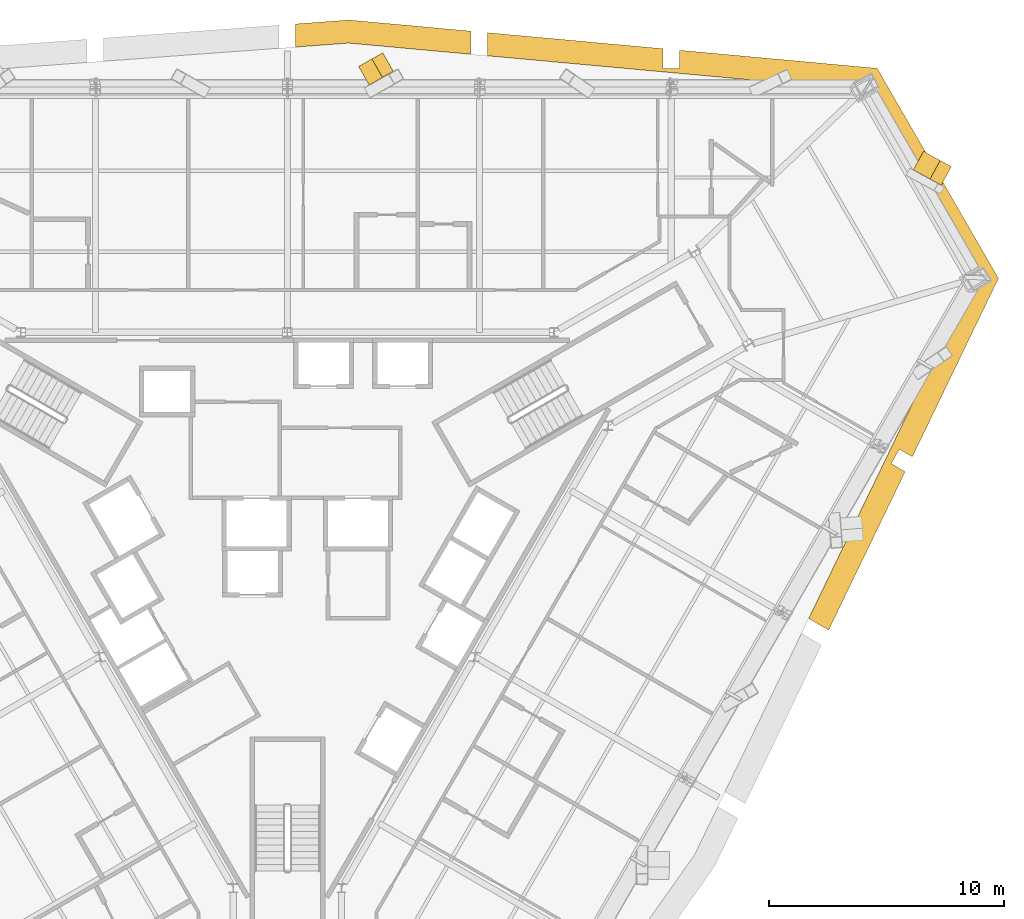
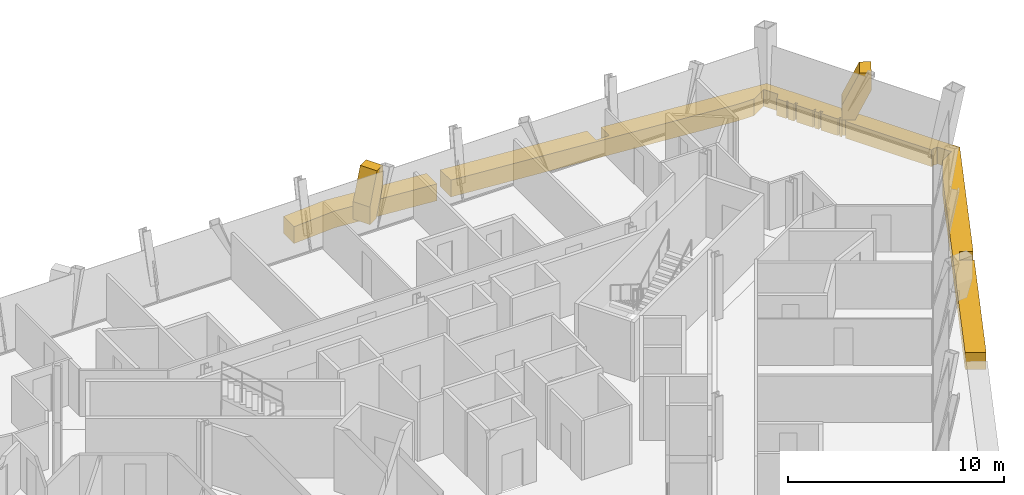
# One storey, part 14 of 14: 4 coverings.
"""IFC4 building model written with IfcOpenShell, lengths in metres."""

from ifc_helpers import new_model, si_unit, direction, frame, origin, place, context, subcontext, project, spatial, polyline, outline, extrude, material, layer, layer_set, type_object, element, save


model = new_model("IFC4")

# Units and contexts
model_context = context("Model", 3, precision=1e-05, world=origin(), true_north=direction((0.0, 1.0)))
body_context = subcontext(model_context, "Body", "Model", "MODEL_VIEW")
ifc_project = project(units=[si_unit("LENGTHUNIT", "METRE"), si_unit("AREAUNIT", "SQUARE_METRE"), si_unit("VOLUMEUNIT", "CUBIC_METRE"), si_unit("PLANEANGLEUNIT", "RADIAN"), si_unit("MASSUNIT", "GRAM", prefix="KILO")], contexts=[model_context])

# Site, building, storey
site_placement = place(None, origin())
site = spatial("IfcSite", under=ifc_project, at=site_placement, CompositionType="ELEMENT")
building_placement = place(site_placement, origin())
building = spatial("IfcBuilding", under=site, at=building_placement, Name="Verrane Prism Tower", CompositionType="ELEMENT")
storey_placement = place(building_placement, frame((0.0, 0.0, 128.800048828125)))
storey = spatial("IfcBuildingStorey", under=building, at=storey_placement, Name="L31", CompositionType="ELEMENT", Elevation=128.800048828125)

# Coverings
ifc_material_1 = material(Name="Warm limestone cladding", Category="masonry")
ifc_layer_1 = layer(ifc_material_1, 0.89990234375)
ifc_layer_set_1 = layer_set([ifc_layer_1], Name="Stone brace fin 900")
covering_type_1 = type_object("IfcCoveringType", Name="Stone brace fin 900", PredefinedType="CLADDING", material=ifc_layer_set_1)
covering_1_placement = place(storey_placement, frame((3.250732421875, 20.1025390625, 0.0), z_axis=(0.0, 0.0, 1.0), x_axis=(0.870034027112, 0.492991675049, 0.0)))
element("IfcCovering", 1, at=covering_1_placement, inside=storey, type_object=covering_type_1, Name="Stone brace fin N3 L31", PredefinedType="CLADDING", context=body_context, shape_type="SweptSolid", body=[
    extrude(outline(polyline([(1.178955078125, 2.64990234375), (0.650390625, 2.64990234375), (0.0, 0.990478515625), (0.0, 0.0), (0.578369140625, 0.0), (1.178955078125, 1.532470703125), (1.178955078125, 2.64990234375)])), frame((0.0, 0.449951171875, 0.0), z_axis=(0.0, -1.0, 0.0), x_axis=(1.0, 0.0, 0.0)), (0.0, 0.0, 1.0), 0.89990234375),
])
covering_2_placement = place(storey_placement, frame((26.8173828125, 16.49560546875, 0.0), z_axis=(0.0, 0.0, 1.0), x_axis=(0.877170467986, -0.4801791021, 0.0)))
element("IfcCovering", 2, at=covering_2_placement, inside=storey, type_object=covering_type_1, Name="Stone brace fin NE1 L31", PredefinedType="CLADDING", context=body_context, shape_type="SweptSolid", body=[
    extrude(outline(polyline([(1.352783203125, 2.64990234375), (0.810546875, 2.64990234375), (0.0, 0.8505859375), (0.0, 0.0), (0.60400390625, 0.0), (1.352783203125, 1.662353515625), (1.352783203125, 2.64990234375)])), frame((0.0, 0.449951171875, 0.0), z_axis=(0.0, -1.0, 0.0), x_axis=(1.0, 0.0, 0.0)), (0.0, 0.0, 1.0), 0.89990234375),
])
ifc_material_2 = material(Name="Warm limestone cladding", Category="masonry")
ifc_layer_2 = layer(ifc_material_2, 0.449951171875)
ifc_layer_set_2 = layer_set([ifc_layer_2], Name="Stone spandrel band 450")
covering_type_2 = type_object("IfcCoveringType", Name="Stone spandrel band 450", PredefinedType="CLADDING", material=ifc_layer_set_2)
covering_3_placement = place(storey_placement, frame((0.0, 0.0, -0.949951171875)))
element("IfcCovering", 3, at=covering_3_placement, inside=storey, type_object=covering_type_2, Name="Stone spandrel band L31 part 1", PredefinedType="CLADDING", context=body_context, shape_type="SweptSolid", body=[
    extrude(outline(polyline([(8.507080078125, 20.950439453125), (23.01416015625, 19.623291015625), (23.94091796875, 19.623291015625), (24.69580078125, 20.05908203125), (25.07568359375, 19.40087890625), (25.056884765625, 19.389892578125), (24.945556640625, 19.195556640625), (24.833251953125, 19.130615234375), (25.1064453125, 18.6572265625), (25.1259765625, 18.714111328125), (25.1923828125, 18.691162109375), (25.153076171875, 18.57666015625), (25.3046875, 18.313720703125), (25.447509765625, 18.396240234375), (25.51123046875, 18.2861328125), (25.368408203125, 18.20361328125), (25.819580078125, 17.422119140625), (25.96240234375, 17.50439453125), (26.00048828125, 17.43798828125), (25.85791015625, 17.355712890625), (25.968017578125, 17.165283203125), (26.110595703125, 17.24755859375), (26.174072265625, 17.137451171875), (26.031494140625, 17.05517578125), (26.482666015625, 16.273681640625), (26.625, 16.355712890625), (26.663330078125, 16.289306640625), (26.52099609375, 16.207275390625), (26.59228515625, 16.083984375), (26.66015625, 16.2080078125), (26.79638671875, 16.13330078125), (26.68310546875, 15.926513671875), (28.982666015625, 11.943603515625), (29.094482421875, 12.008056640625), (29.316650390625, 12.008056640625), (29.335693359375, 12.01904296875), (29.7158203125, 11.36083984375), (28.9697265625, 10.93017578125), (28.327392578125, 9.817626953125), (27.138671875, 7.35595703125), (27.140380859375, 7.353515625), (27.1357421875, 7.350341796875), (22.153564453125, -2.967041015625), (23.0029296875, -3.457275390625), (26.25439453125, 3.276123046875), (25.65869140625, 3.6201171875), (26.008544921875, 4.226318359375), (26.559814453125, 3.908203125), (30.220703125, 11.489013671875), (25.0654296875, 20.41796875), (16.66455078125, 21.186279296875), (16.66455078125, 20.409912109375), (15.964599609375, 20.409912109375), (15.964599609375, 21.25048828125), (8.507080078125, 21.9326171875), (8.507080078125, 20.950439453125)])), origin(), (0.0, 0.0, 1.0), 0.949951171875),
])
covering_4_placement = place(storey_placement, frame((0.0, 0.0, -0.949951171875)))
element("IfcCovering", 4, at=covering_4_placement, inside=storey, type_object=covering_type_2, Name="Stone spandrel band L31 part 8", PredefinedType="CLADDING", context=body_context, shape_type="SweptSolid", body=[
    extrude(outline(polyline([(0.35009765625, 22.3037109375), (0.35009765625, 21.322998046875), (2.6103515625, 21.489990234375), (7.80712890625, 21.0146484375), (7.80712890625, 21.99658203125), (2.618896484375, 22.471435546875), (0.35009765625, 22.3037109375)])), origin(), (0.0, 0.0, 1.0), 0.949951171875),
])

save(model, "model.ifc")
